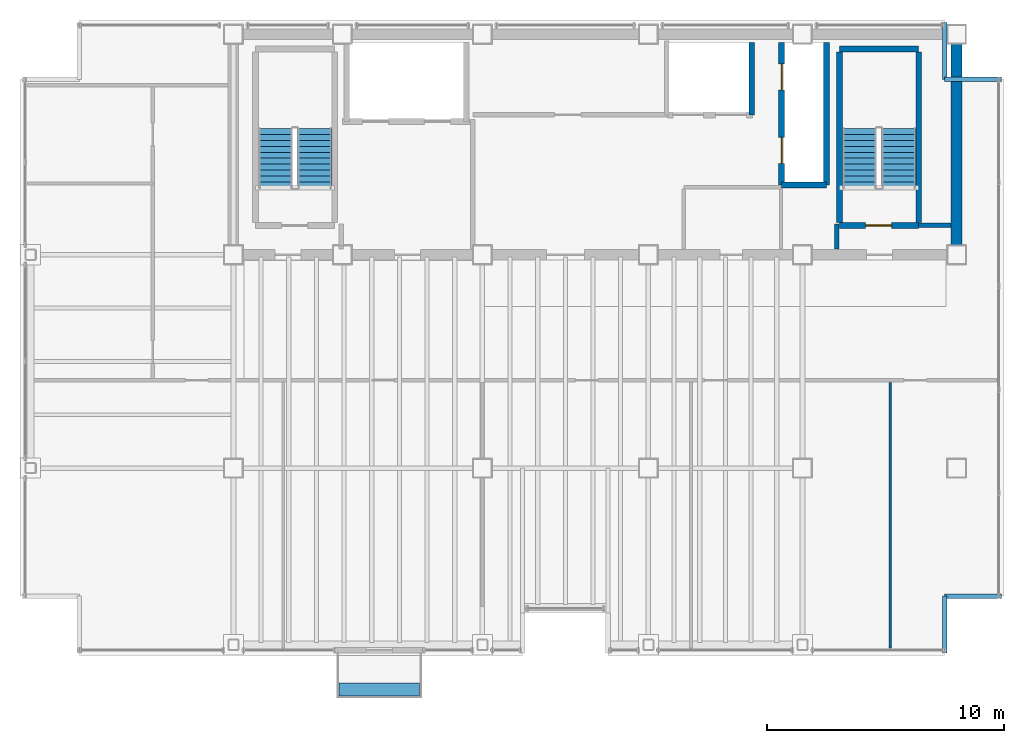
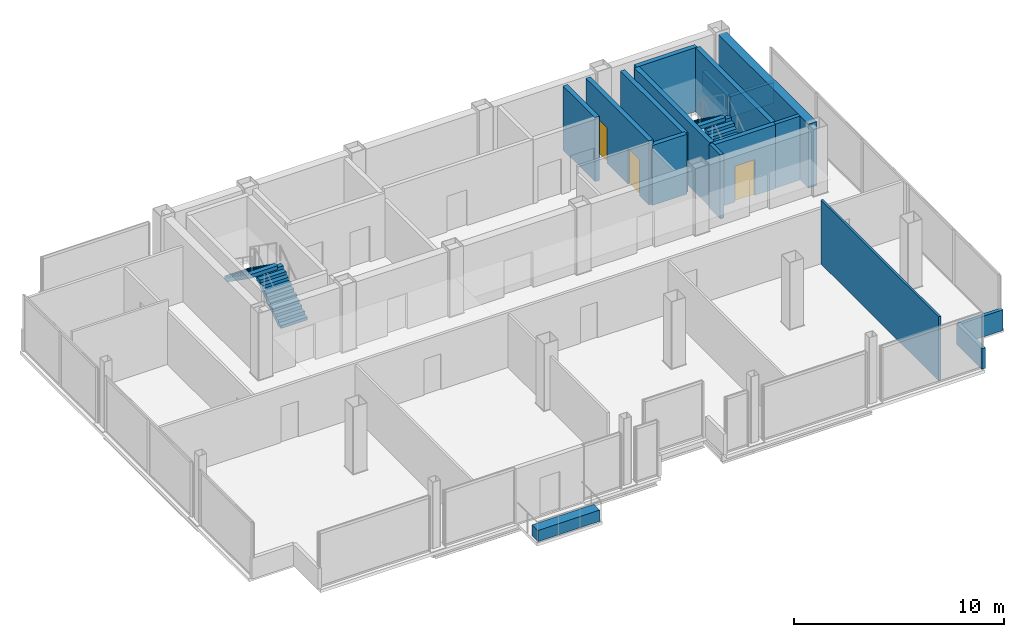
# One storey, part 15 of 16: 16 walls, 4 stair flights, 3 doors, 1 discrete accessory, 3 openings, 2 elements without a shape of their own.
"""IFC4 building model written with IfcOpenShell, lengths in metres."""

from ifc_helpers import new_model, si_unit, direction, frame, frame_2d, origin, origin_2d, place, context, subcontext, project, spatial, polyline, rectangle, outline, extrude, material, layer, layer_set, type_object, element, fill, aggregate, save


model = new_model("IFC4")

# Units and contexts
model_context = context("Model", 3, precision=1e-05, world=origin(), true_north=direction((0.0, 1.0)))
body_context = subcontext(model_context, "Body", "Model", "MODEL_VIEW")
ifc_project = project(units=[si_unit("LENGTHUNIT", "METRE"), si_unit("AREAUNIT", "SQUARE_METRE"), si_unit("VOLUMEUNIT", "CUBIC_METRE"), si_unit("PLANEANGLEUNIT", "RADIAN"), si_unit("MASSUNIT", "GRAM", prefix="KILO")], contexts=[model_context])

# Site, building, storey
site_placement = place(None, origin())
site = spatial("IfcSite", under=ifc_project, at=site_placement, CompositionType="ELEMENT")
building_placement = place(site_placement, origin())
building = spatial("IfcBuilding", under=site, at=building_placement, Name="Noeulbin Bourse Tower", CompositionType="ELEMENT")
storey_placement = place(building_placement, frame((0.0, 0.0, 234.5)))
storey = spatial("IfcBuildingStorey", under=building, at=storey_placement, Name="L58", CompositionType="ELEMENT", Elevation=234.5)

# Walls
ifc_material_1 = material(Name="Concrete C50/60", Category="concrete")
ifc_layer_1 = layer(ifc_material_1, 0.449951171875)
ifc_layer_set_1 = layer_set([ifc_layer_1], Name="Concrete C50/60")
wall_type_1 = type_object("IfcWallType", Name="WAL-CORE-450", PredefinedType="SHEAR", material=ifc_layer_set_1)
wall_1_placement = place(storey_placement, frame((44.0, 29.35009765625, 0.0), z_axis=(0.0, 0.0, 1.0), x_axis=(0.0, 1.0, 0.0)))
element("IfcWall", 1, at=wall_1_placement, inside=storey, type_object=wall_type_1, Name="Rear Core East Shear Wall L58", PredefinedType="SHEAR", context=body_context, shape_type="SweptSolid", body=[
    extrude(rectangle(XDim=8.599853515625, YDim=0.449951171875, at=frame_2d((4.2998046875, 0.0))), origin(), (0.0, 0.0, 1.0), 3.719970703125),
])
ifc_material_2 = material(Name="Concrete C40/50", Category="concrete")
ifc_layer_2 = layer(ifc_material_2, 0.199951171875)
ifc_layer_set_2 = layer_set([ifc_layer_2], Name="Concrete C40/50")
wall_type_2 = type_object("IfcWallType", Name="WAL-FIRE-200", PredefinedType="STANDARD", material=ifc_layer_set_2)
wall_2_placement = place(storey_placement, frame((42.39990234375, 30.239990234375, 0.0), z_axis=(0.0, 0.0, 1.0), x_axis=(1.0, 0.0, 0.0)))
element("IfcWall", 2, at=wall_2_placement, inside=storey, type_object=wall_type_2, Name="Interior Partition Wall L58-01", PredefinedType="STANDARD", context=body_context, shape_type="SweptSolid", body=[
    extrude(rectangle(XDim=1.364990234375, YDim=0.199951171875, at=frame_2d((0.6826171875, 0.0))), origin(), (0.0, 0.0, 1.0), 3.719970703125),
])
wall_3_placement = place(storey_placement, frame((38.949951171875, 29.235107421875, 0.0), z_axis=(0.0, 0.0, 1.0), x_axis=(0.0, 1.0, 0.0)))
element("IfcWall", 3, at=wall_3_placement, inside=storey, type_object=wall_type_2, Name="Interior Partition Wall L58-08", PredefinedType="STANDARD", context=body_context, shape_type="SweptSolid", body=[
    extrude(rectangle(XDim=1.06494140625, YDim=0.199951171875, at=frame_2d((0.532470703125, 0.0))), origin(), (0.0, 0.0, 1.0), 3.719970703125),
])
ifc_layer_3 = layer(ifc_material_2, 0.199951171875)
ifc_layer_set_3 = layer_set([ifc_layer_3], Name="Concrete C40/50")
wall_type_3 = type_object("IfcWallType", Name="WAL-PAR-200", PredefinedType="PARAPET", material=ifc_layer_set_3)
wall_4_placement = place(storey_placement, frame((43.5, 12.199951171875, 0.0), z_axis=(0.0, 0.0, 1.0), x_axis=(0.0, 1.0, 0.0)))
element("IfcWall", 4, at=wall_4_placement, inside=storey, type_object=wall_type_3, Name="Corner Notch Parapet L58-SE1", PredefinedType="PARAPET", context=body_context, shape_type="SweptSolid", body=[
    extrude(rectangle(XDim=2.400146484375, YDim=0.199951171875, at=frame_2d((1.2001953125, 0.0))), origin(), (0.0, 0.0, 1.0), 1.199951171875),
])
wall_5_placement = place(storey_placement, frame((43.5, 14.60009765625, 0.0), z_axis=(0.0, 0.0, 1.0), x_axis=(1.0, 0.0, 0.0)))
element("IfcWall", 5, at=wall_5_placement, inside=storey, type_object=wall_type_3, Name="Corner Notch Parapet L58-SE2", PredefinedType="PARAPET", context=body_context, shape_type="SweptSolid", body=[
    extrude(rectangle(XDim=2.39990234375, YDim=0.199951171875, at=frame_2d((1.199951171875, 0.0))), origin(), (0.0, 0.0, 1.0), 1.199951171875),
])
wall_6_placement = place(storey_placement, frame((43.5, 38.800048828125, 0.0), z_axis=(0.0, 0.0, 1.0), x_axis=(0.0, -1.0, 0.0)))
element("IfcWall", 6, at=wall_6_placement, inside=storey, type_object=wall_type_3, Name="Corner Notch Parapet L58-NE1", PredefinedType="PARAPET", context=body_context, shape_type="SweptSolid", body=[
    extrude(rectangle(XDim=2.400146484375, YDim=0.199951171875, at=frame_2d((1.2001953125, 0.0))), origin(), (0.0, 0.0, 1.0), 1.199951171875),
])
wall_7_placement = place(storey_placement, frame((43.5, 36.39990234375, 0.0), z_axis=(0.0, 0.0, 1.0), x_axis=(1.0, 0.0, 0.0)))
element("IfcWall", 7, at=wall_7_placement, inside=storey, type_object=wall_type_3, Name="Corner Notch Parapet L58-NE2", PredefinedType="PARAPET", context=body_context, shape_type="SweptSolid", body=[
    extrude(rectangle(XDim=2.39990234375, YDim=0.199951171875, at=frame_2d((1.199951171875, 0.0))), origin(), (0.0, 0.0, 1.0), 1.199951171875),
])
ifc_material_3 = material(Name="Steel Stud Gypsum Partition", Category="steel")
ifc_layer_4 = layer(ifc_material_3, 0.1201171875)
ifc_layer_set_4 = layer_set([ifc_layer_4], Name="Steel Stud Gypsum Partition")
wall_type_4 = type_object("IfcWallType", Name="WAL-PRT-120", PredefinedType="PARTITIONING", material=ifc_layer_set_4)
wall_8_placement = place(storey_placement, frame((41.199951171875, 12.409912109375, 0.0), z_axis=(0.0, 0.0, 1.0), x_axis=(0.0, 1.0, 0.0)))
element("IfcWall", 8, at=wall_8_placement, inside=storey, type_object=wall_type_4, Name="Interior Partition Wall L58-16", PredefinedType="PARTITIONING", context=body_context, shape_type="SweptSolid", body=[
    extrude(rectangle(XDim=11.205078125, YDim=0.1201171875, at=frame_2d((5.6025390625, 0.0))), origin(), (0.0, 0.0, 1.0), 3.719970703125),
])

# Wall, opening, door
ifc_layer_5 = layer(ifc_material_2, 0.25)
ifc_layer_set_5 = layer_set([ifc_layer_5], Name="Concrete C40/50")
wall_type_5 = type_object("IfcWallType", Name="WAL-SHFT-250", PredefinedType="STANDARD", material=ifc_layer_set_5)
wall_9_placement = place(storey_placement, frame((39.06005859375, 30.235107421875, 0.0), z_axis=(0.0, 0.0, 1.0), x_axis=(1.0, 0.0, 0.0)))
wall_9 = element("IfcWall", 9, at=wall_9_placement, inside=storey, type_object=wall_type_5, Name="Stair ST-2 South Shaft Wall L58", PredefinedType="STANDARD", context=body_context, shape_type="SweptSolid", body=[
    extrude(rectangle(XDim=3.33984375, YDim=0.25, at=frame_2d((1.669921875, 0.0))), origin(), (0.0, 0.0, 1.0), 3.719970703125),
])
opening_1_placement = place(wall_9_placement, frame((1.10009765625, 0.0, 0.0)))
opening_1 = element("IfcOpeningElement", 10, at=opening_1_placement, cuts=wall_9, Name="Opening FD-11", PredefinedType="OPENING", context=body_context, shape_type="SweptSolid", body=[
    extrude(rectangle(XDim=1.10009765625, YDim=2.080078125, at=frame_2d((0.550048828125, 1.0400390625))), frame((0.0, 0.135009765625, 0.0), z_axis=(0.0, -1.0, 0.0), x_axis=(1.0, 0.0, 0.0)), (0.0, 0.0, 1.0), 0.27001953125),
])
ifc_material_4 = material(Name="Fire-Rated Insulated Steel", Category="steel")
door_type_1 = type_object("IfcDoorType", Name="DR-FD60-1100", OperationType="SINGLE_SWING_LEFT", PredefinedType="DOOR", material=ifc_material_4)
door_1_placement = place(opening_1_placement, origin())
door_1 = element("IfcDoor", 11, at=door_1_placement, inside=storey, type_object=door_type_1, Name="Protected Stair Entry Door ST2-L58", OperationType="SINGLE_SWING_LEFT", OverallHeight=2.080078125, OverallWidth=1.10009765625, PredefinedType="DOOR", context=body_context, shape_type="SweptSolid", body=[
    extrude(rectangle(XDim=1.10009765625, YDim=2.080078125, at=frame_2d((0.550048828125, 1.0400390625))), frame((0.0, 0.02490234375, 0.0), z_axis=(0.0, -1.0, 0.0), x_axis=(1.0, 0.0, 0.0)), (0.0, 0.0, 1.0), 0.050048828125),
])
fill(opening_1, door_1)

# Walls
wall_10_placement = place(storey_placement, frame((39.06005859375, 37.6689453125, 0.0), z_axis=(0.0, 0.0, 1.0), x_axis=(1.0, 0.0, 0.0)))
element("IfcWall", 12, at=wall_10_placement, inside=storey, type_object=wall_type_5, Name="Stair ST-2 North Shaft Wall L58", PredefinedType="STANDARD", context=body_context, shape_type="SweptSolid", body=[
    extrude(rectangle(XDim=3.33984375, YDim=0.25, at=frame_2d((1.669921875, 0.0))), origin(), (0.0, 0.0, 1.0), 3.719970703125),
])
for number, where, z_axis, x_axis, name in (
    (13, (39.054931640625, 30.360107421875, 0.0), (0.0, 0.0, 1.0), (0.0, 1.0, 0.0), "Stair ST-2 West Shaft Wall L58"),
    (14, (42.405029296875, 30.360107421875, 0.0), (0.0, 0.0, 1.0), (0.0, 1.0, 0.0), "Stair ST-2 East Shaft Wall L58"),
):
    element("IfcWall", number, at=place(storey_placement, frame(where, z_axis=z_axis, x_axis=x_axis)), inside=storey, type_object=wall_type_5, Name=name, PredefinedType="STANDARD", context=body_context, shape_type="SweptSolid", body=[
        extrude(rectangle(XDim=7.183837890625, YDim=0.25, at=frame_2d((3.591796875, 0.0))), origin(), (0.0, 0.0, 1.0), 3.719970703125),
    ])

# Wall, openings, doors
wall_11_placement = place(storey_placement, frame((36.6201171875, 31.949951171875, 0.0), z_axis=(0.0, 0.0, 1.0), x_axis=(0.0, 1.0, 0.0)))
wall_11 = element("IfcWall", 15, at=wall_11_placement, inside=storey, type_object=wall_type_5, Name="Service Lift Shaft Wall L58", PredefinedType="STANDARD", context=body_context, shape_type="SweptSolid", body=[
    extrude(rectangle(XDim=6.0, YDim=0.25, at=frame_2d((3.0, 0.0))), origin(), (0.0, 0.0, 1.0), 3.719970703125),
])
opening_2_placement = place(wall_11_placement, frame((0.89990234375, 0.0, 0.0)))
opening_2 = element("IfcOpeningElement", 16, at=opening_2_placement, cuts=wall_11, Name="Opening LD-11", PredefinedType="OPENING", context=body_context, shape_type="SweptSolid", body=[
    extrude(rectangle(XDim=1.10009765625, YDim=2.080078125, at=frame_2d((0.550048828125, 1.0400390625))), frame((0.0, 0.135009765625, 0.0), z_axis=(0.0, -1.0, 0.0), x_axis=(1.0, 0.0, 0.0)), (0.0, 0.0, 1.0), 0.27001953125),
])
opening_3_placement = place(wall_11_placement, frame((4.0, 0.0, 0.0)))
opening_3 = element("IfcOpeningElement", 17, at=opening_3_placement, cuts=wall_11, Name="Opening LD-11", PredefinedType="OPENING", context=body_context, shape_type="SweptSolid", body=[
    extrude(rectangle(XDim=1.10009765625, YDim=2.080078125, at=frame_2d((0.550048828125, 1.0400390625))), frame((0.0, 0.135009765625, 0.0), z_axis=(0.0, -1.0, 0.0), x_axis=(1.0, 0.0, 0.0)), (0.0, 0.0, 1.0), 0.27001953125),
])
ifc_material_5 = material(Name="Brushed Stainless Steel 316", Category="steel")
door_type_2 = type_object("IfcDoorType", Name="DR-LIFT-1100", OperationType="SLIDING_TO_LEFT", PredefinedType="DOOR", material=ifc_material_5)
door_2_placement = place(opening_2_placement, origin())
door_2 = element("IfcDoor", 18, at=door_2_placement, inside=storey, type_object=door_type_2, Name="Lift Landing Door LD-EL-01-L58", OperationType="SLIDING_TO_LEFT", OverallHeight=2.080078125, OverallWidth=1.10009765625, PredefinedType="DOOR", context=body_context, shape_type="SweptSolid", body=[
    extrude(rectangle(XDim=1.10009765625, YDim=2.080078125, at=frame_2d((0.550048828125, 1.0400390625))), frame((0.0, 0.02490234375, 0.0), z_axis=(0.0, -1.0, 0.0), x_axis=(1.0, 0.0, 0.0)), (0.0, 0.0, 1.0), 0.050048828125),
])
fill(opening_2, door_2)
door_3_placement = place(opening_3_placement, origin())
door_3 = element("IfcDoor", 19, at=door_3_placement, inside=storey, type_object=door_type_2, Name="Lift Landing Door LD-SV-01-L58", OperationType="SLIDING_TO_LEFT", OverallHeight=2.080078125, OverallWidth=1.10009765625, PredefinedType="DOOR", context=body_context, shape_type="SweptSolid", body=[
    extrude(rectangle(XDim=1.10009765625, YDim=2.080078125, at=frame_2d((0.550048828125, 1.0400390625))), frame((0.0, 0.02490234375, 0.0), z_axis=(0.0, -1.0, 0.0), x_axis=(1.0, 0.0, 0.0)), (0.0, 0.0, 1.0), 0.050048828125),
])
fill(opening_3, door_3)

# Walls
wall_12_placement = place(storey_placement, frame((38.52001953125, 31.949951171875, 0.0), z_axis=(0.0, 0.0, 1.0), x_axis=(0.0, 1.0, 0.0)))
element("IfcWall", 20, at=wall_12_placement, inside=storey, type_object=wall_type_5, Name="Service Lift East Shaft Wall L58", PredefinedType="STANDARD", context=body_context, shape_type="SweptSolid", body=[
    extrude(rectangle(XDim=6.0, YDim=0.25, at=frame_2d((3.0, 0.0))), origin(), (0.0, 0.0, 1.0), 3.47998046875),
])
wall_13_placement = place(storey_placement, frame((36.6201171875, 31.949951171875, 0.0), z_axis=(0.0, 0.0, 1.0), x_axis=(1.0, 0.0, 0.0)))
element("IfcWall", 21, at=wall_13_placement, inside=storey, type_object=wall_type_5, Name="Service Lift South Shaft Wall L58", PredefinedType="STANDARD", context=body_context, shape_type="SweptSolid", body=[
    extrude(rectangle(XDim=1.89990234375, YDim=0.25, at=frame_2d((0.949951171875, 0.0))), origin(), (0.0, 0.0, 1.0), 3.47998046875),
])
wall_14_placement = place(storey_placement, frame((35.360107421875, 34.89990234375, 0.0), z_axis=(0.0, 0.0, 1.0), x_axis=(0.0, 1.0, 0.0)))
element("IfcWall", 22, at=wall_14_placement, inside=storey, type_object=wall_type_5, Name="High-Rise Lift East Shaft Wall L58", PredefinedType="STANDARD", context=body_context, shape_type="SweptSolid", body=[
    extrude(rectangle(XDim=3.050048828125, YDim=0.25, at=frame_2d((1.52490234375, 0.0))), origin(), (0.0, 0.0, 1.0), 3.719970703125),
])

# Stair, stair flights
stair_type = type_object("IfcStairType", Name="STR-CORE-1560", PredefinedType="HALF_TURN_STAIR", material=ifc_material_2)
stair_1_placement = place(storey_placement, origin())
stair_1 = element("IfcStair", 23, at=stair_1_placement, inside=storey, type_object=stair_type, Name="L58 ST-1", PredefinedType="HALF_TURN_STAIR")
stair_flight_type = type_object("IfcStairFlightType", Name="SFL-CORE-1560", PredefinedType="STRAIGHT", material=ifc_material_2)
stair_flight_1_placement = place(storey_placement, frame((16.925048828125, 31.81005859375, 0.0), z_axis=(0.0, 0.0, 1.0), x_axis=(0.0, 1.0, 0.0)))
stair_flight_1 = element("IfcStairFlight", 24, at=stair_flight_1_placement, type_object=stair_flight_type, Name="ST-1 flight 1", NumberOfRisers=11, NumberOfTreads=10, PredefinedType="STRAIGHT", RiserHeight=0.177272727, TreadLength=0.252, context=body_context, shape_type="SweptSolid", body=[
    extrude(outline(polyline([(0.0, 0.0), (0.0, 0.17724609375), (0.251953125, 0.17724609375), (0.251953125, 0.3544921875), (0.50390625, 0.3544921875), (0.50390625, 0.53173828125), (0.756103515625, 0.53173828125), (0.756103515625, 0.708984375), (1.008056640625, 0.708984375), (1.008056640625, 0.886474609375), (1.260009765625, 0.886474609375), (1.260009765625, 1.063720703125), (1.511962890625, 1.063720703125), (1.511962890625, 1.240966796875), (1.763916015625, 1.240966796875), (1.763916015625, 1.418212890625), (2.01611328125, 1.418212890625), (2.01611328125, 1.595458984375), (2.26806640625, 1.595458984375), (2.26806640625, 1.772705078125), (2.52001953125, 1.772705078125), (2.52001953125, 1.949951171875), (2.52001953125, 1.552734375), (0.312744140625, 0.0), (0.0, 0.0)])), frame((0.0, 0.72509765625, 0.0), z_axis=(0.0, -1.0, 0.0), x_axis=(1.0, 0.0, 0.0)), (0.0, 0.0, 1.0), 1.449951171875),
])
stair_flight_2_placement = place(storey_placement, frame((15.27490234375, 34.330078125, 1.949951171875), z_axis=(0.0, 0.0, 1.0), x_axis=(0.0, -1.0, 0.0)))
stair_flight_2 = element("IfcStairFlight", 25, at=stair_flight_2_placement, type_object=stair_flight_type, Name="ST-1 flight 2", NumberOfRisers=11, NumberOfTreads=10, PredefinedType="STRAIGHT", RiserHeight=0.177272727, TreadLength=0.252, context=body_context, shape_type="SweptSolid", body=[
    extrude(outline(polyline([(0.0, 0.0), (0.0, 0.17724609375), (0.251953125, 0.17724609375), (0.251953125, 0.3544921875), (0.50390625, 0.3544921875), (0.50390625, 0.53173828125), (0.756103515625, 0.53173828125), (0.756103515625, 0.708984375), (1.008056640625, 0.708984375), (1.008056640625, 0.886474609375), (1.260009765625, 0.886474609375), (1.260009765625, 1.063720703125), (1.511962890625, 1.063720703125), (1.511962890625, 1.240966796875), (1.763916015625, 1.240966796875), (1.763916015625, 1.418212890625), (2.01611328125, 1.418212890625), (2.01611328125, 1.595458984375), (2.26806640625, 1.595458984375), (2.26806640625, 1.772705078125), (2.52001953125, 1.772705078125), (2.52001953125, 1.949951171875), (2.52001953125, 1.552734375), (0.312744140625, 0.0), (0.0, 0.0)])), frame((0.0, 0.72509765625, 0.0), z_axis=(0.0, -1.0, 0.0), x_axis=(1.0, 0.0, 0.0)), (0.0, 0.0, 1.0), 1.449951171875),
])
aggregate(stair_1, [stair_flight_1, stair_flight_2])

stair_2_placement = place(storey_placement, origin())
stair_2 = element("IfcStair", 26, at=stair_2_placement, inside=storey, type_object=stair_type, Name="L58 ST-2", PredefinedType="HALF_TURN_STAIR")
stair_flight_3_placement = place(storey_placement, frame((41.554931640625, 31.81005859375, 0.0), z_axis=(0.0, 0.0, 1.0), x_axis=(0.0, 1.0, 0.0)))
stair_flight_3 = element("IfcStairFlight", 27, at=stair_flight_3_placement, type_object=stair_flight_type, Name="ST-2 flight 1", NumberOfRisers=11, NumberOfTreads=10, PredefinedType="STRAIGHT", RiserHeight=0.177272727, TreadLength=0.252, context=body_context, shape_type="SweptSolid", body=[
    extrude(outline(polyline([(0.0, 0.0), (0.0, 0.17724609375), (0.251953125, 0.17724609375), (0.251953125, 0.3544921875), (0.50390625, 0.3544921875), (0.50390625, 0.53173828125), (0.756103515625, 0.53173828125), (0.756103515625, 0.708984375), (1.008056640625, 0.708984375), (1.008056640625, 0.886474609375), (1.260009765625, 0.886474609375), (1.260009765625, 1.063720703125), (1.511962890625, 1.063720703125), (1.511962890625, 1.240966796875), (1.763916015625, 1.240966796875), (1.763916015625, 1.418212890625), (2.01611328125, 1.418212890625), (2.01611328125, 1.595458984375), (2.26806640625, 1.595458984375), (2.26806640625, 1.772705078125), (2.52001953125, 1.772705078125), (2.52001953125, 1.949951171875), (2.52001953125, 1.552734375), (0.312744140625, 0.0), (0.0, 0.0)])), frame((0.0, 0.72509765625, 0.0), z_axis=(0.0, -1.0, 0.0), x_axis=(1.0, 0.0, 0.0)), (0.0, 0.0, 1.0), 1.449951171875),
])
stair_flight_4_placement = place(storey_placement, frame((39.905029296875, 34.330078125, 1.949951171875), z_axis=(0.0, 0.0, 1.0), x_axis=(0.0, -1.0, 0.0)))
stair_flight_4 = element("IfcStairFlight", 28, at=stair_flight_4_placement, type_object=stair_flight_type, Name="ST-2 flight 2", NumberOfRisers=11, NumberOfTreads=10, PredefinedType="STRAIGHT", RiserHeight=0.177272727, TreadLength=0.252, context=body_context, shape_type="SweptSolid", body=[
    extrude(outline(polyline([(0.0, 0.0), (0.0, 0.17724609375), (0.251953125, 0.17724609375), (0.251953125, 0.3544921875), (0.50390625, 0.3544921875), (0.50390625, 0.53173828125), (0.756103515625, 0.53173828125), (0.756103515625, 0.708984375), (1.008056640625, 0.708984375), (1.008056640625, 0.886474609375), (1.260009765625, 0.886474609375), (1.260009765625, 1.063720703125), (1.511962890625, 1.063720703125), (1.511962890625, 1.240966796875), (1.763916015625, 1.240966796875), (1.763916015625, 1.418212890625), (2.01611328125, 1.418212890625), (2.01611328125, 1.595458984375), (2.26806640625, 1.595458984375), (2.26806640625, 1.772705078125), (2.52001953125, 1.772705078125), (2.52001953125, 1.949951171875), (2.52001953125, 1.552734375), (0.312744140625, 0.0), (0.0, 0.0)])), frame((0.0, 0.72509765625, 0.0), z_axis=(0.0, -1.0, 0.0), x_axis=(1.0, 0.0, 0.0)), (0.0, 0.0, 1.0), 1.449951171875),
])
aggregate(stair_2, [stair_flight_3, stair_flight_4])

# Discrete accessory
ifc_material_6 = material(Name="Architectural GFRC Concrete C40/50", Category="concrete")
ifc_layer_6 = layer(ifc_material_6, 0.64990234375)
ifc_layer_set_6 = layer_set([ifc_layer_6], Name="Architectural GFRC Concrete C40/50")
discrete_accessory_type = type_object("IfcDiscreteAccessoryType", Name="PLANTER-BOX-3600", PredefinedType="USERDEFINED", material=ifc_layer_set_6)
discrete_accessory_placement = place(storey_placement, frame((19.64990234375, 10.659912109375, 0.0), z_axis=(0.0, 0.0, 1.0), x_axis=(1.0, 0.0, 0.0)))
element("IfcDiscreteAccessory", 29, at=discrete_accessory_placement, inside=storey, type_object=discrete_accessory_type, Name="Integrated Balcony Tree Planter Box L58", ObjectType="PLANTER", PredefinedType="USERDEFINED", context=body_context, shape_type="SweptSolid", body=[
    extrude(rectangle(XDim=3.39990234375, YDim=0.550048828125, at=origin_2d()), origin(), (0.0, 0.0, 1.0), 0.64990234375),
])

save(model, "model.ifc")
